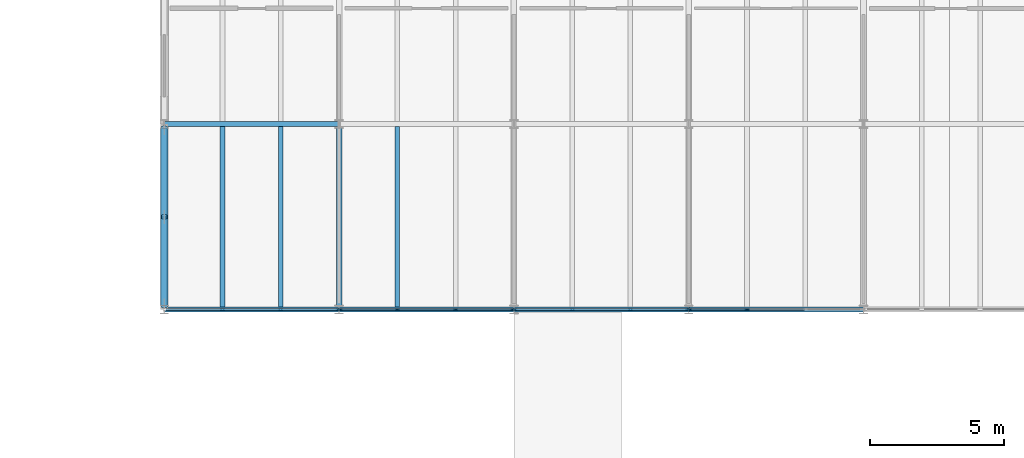
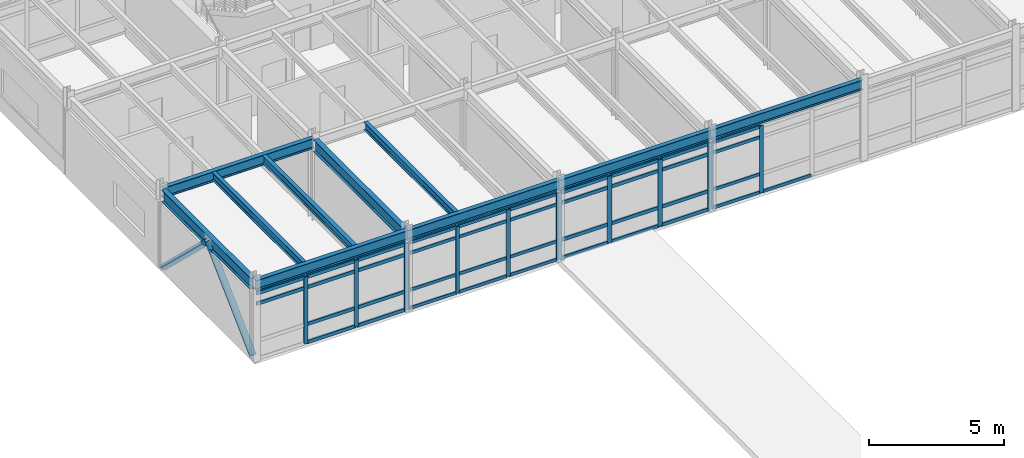
# One storey, part 18 of 49: 54 members, 10 beams, 4 elements without a shape of their own.
"""IFC4 building model written with IfcOpenShell, lengths in metres."""

from ifc_helpers import new_model, si_unit, direction, frame, origin, origin_2d, place, context, subcontext, project, spatial, rectangle, hollow_circle, i_section, extrude, material, layer, layer_set, material_profile, profile_set, type_object, element, aggregate, save


model = new_model("IFC4")

# Units and contexts
model_context = context("Model", 3, precision=1e-05, world=origin(), true_north=direction((0.0, 1.0)))
body_context = subcontext(model_context, "Body", "Model", "MODEL_VIEW")
ifc_project = project(units=[si_unit("LENGTHUNIT", "METRE"), si_unit("AREAUNIT", "SQUARE_METRE"), si_unit("VOLUMEUNIT", "CUBIC_METRE"), si_unit("PLANEANGLEUNIT", "RADIAN"), si_unit("MASSUNIT", "GRAM", prefix="KILO")], contexts=[model_context])

# Site, building, storey
site_placement = place(None, origin())
site = spatial("IfcSite", under=ifc_project, at=site_placement, CompositionType="ELEMENT")
building_placement = place(site_placement, origin())
building = spatial("IfcBuilding", under=site, at=building_placement, Name="Trelmorton Wharf Fire Station", CompositionType="ELEMENT")
storey_placement = place(building_placement, frame((0.0, 0.0, 9.60009765625)))
storey = spatial("IfcBuildingStorey", under=building, at=storey_placement, Name="L02", CompositionType="ELEMENT", Elevation=9.60009765625)

# Beams
ifc_material_1 = material(Name="Steel Grade 350", Category="steel")
ifc_material_profile_1 = material_profile(ifc_material_1, i_section(OverallWidth=0.19091796875, OverallDepth=0.4599609375, WebThickness=0.010009765625, FlangeThickness=0.01611328125, FilletRadius=0.011474609375, at=origin_2d()), Name="460UB82.1")
ifc_profile_set_1 = profile_set([ifc_material_profile_1], Name="Steel Grade 350")
beam_type_1 = type_object("IfcBeamType", Name="BM_460UB82", PredefinedType="BEAM", material=ifc_profile_set_1)
beam_placement = place(storey_placement, frame((104.00390625, 67.199951171875, 3.39990234375), z_axis=(1.0, 0.0, 0.0), x_axis=(0.0, 1.0, 0.0)))
element("IfcBeam", 1, at=beam_placement, inside=storey, type_object=beam_type_1, Name="BM-L02-0749", PredefinedType="BEAM", context=body_context, shape_type="SweptSolid", body=[
    extrude(i_section(OverallWidth=0.19091796875, OverallDepth=0.4599609375, WebThickness=0.010009765625, FlangeThickness=0.01611328125, FilletRadius=0.011474609375, at=origin_2d()), origin(), (0.0, 0.0, 1.0), 6.4921875),
])
ifc_material_profile_2 = material_profile(ifc_material_1, i_section(OverallWidth=0.208984375, OverallDepth=0.532958984375, WebThickness=0.01025390625, FlangeThickness=0.015625, FilletRadius=0.013916015625, at=origin_2d()), Name="530UB92.4")
ifc_profile_set_2 = profile_set([ifc_material_profile_2], Name="Steel Grade 350")
beam_type_2 = type_object("IfcBeamType", Name="BM_530UB92", PredefinedType="BEAM", material=ifc_profile_set_2)
for number, where, z_axis, x_axis, name in (
    (2, (104.0, 60.45361328125, 3.36328125), (0.0, 1.0, 0.0), (-1.0, 0.0, 0.0), "BM-L02-0816"),
    (3, (110.5, 60.45361328125, 3.36328125), (0.0, 1.0, 0.0), (-1.0, 0.0, 0.0), "BM-L02-0822"),
):
    element("IfcBeam", number, at=place(storey_placement, frame(where, z_axis=z_axis, x_axis=x_axis)), inside=storey, type_object=beam_type_2, Name=name, PredefinedType="BEAM", context=body_context, shape_type="SweptSolid", body=[
        extrude(i_section(OverallWidth=0.208984375, OverallDepth=0.532958984375, WebThickness=0.01025390625, FlangeThickness=0.015625, FilletRadius=0.013916015625, at=origin_2d()), origin(), (0.0, 0.0, 1.0), 6.5927734375),
    ])

# Members
ifc_material_2 = material(Name="Steel C350L0 (350 MPa)", Category="steel")
ifc_material_profile_3 = material_profile(ifc_material_2, hollow_circle(Radius=0.136474609375, WallThickness=0.00927734375, at=origin_2d()), Name="273.1x9.3CHS")
ifc_profile_set_3 = profile_set([ifc_material_profile_3], Name="Steel C350L0 (350 MPa)")
member_type_1 = type_object("IfcMemberType", Name="BR_273CHS", PredefinedType="BRACE", material=ifc_profile_set_3)
for number, where, z_axis, x_axis, name in (
    (4, (104.0, 60.45458984375, 0.119873046875), (0.0, 0.721790056105, 0.692112068171), (-1.0, 0.0, 0.0), "CBF-V4-W-L02-A"),
    (5, (104.0, 67.04541015625, 0.119873046875), (0.0, -0.721790056105, 0.692112068171), (1.0, 0.0, 0.0), "CBF-V4-W-L02-B"),
):
    element("IfcMember", number, at=place(storey_placement, frame(where, z_axis=z_axis, x_axis=x_axis)), inside=storey, type_object=member_type_1, Name=name, PredefinedType="BRACE", context=body_context, shape_type="SweptSolid", body=[
        extrude(hollow_circle(Radius=0.136474609375, WallThickness=0.00927734375, at=origin_2d()), origin(), (0.0, 0.0, 1.0), 4.565673828125),
    ])

# Curtain wall, members
ifc_material_3 = material(Name="Anodised aluminium AW-6063", Category="aluminium")
ifc_layer = layer(ifc_material_3, 0.175048828125)
ifc_layer_set = layer_set([ifc_layer], Name="Anodised aluminium AW-6063")
curtain_wall_type = type_object("IfcCurtainWallType", Name="CW_CHIC_B", PredefinedType="USERDEFINED", material=ifc_layer_set)
curtain_wall_1_placement = place(storey_placement, origin())
curtain_wall_1 = element("IfcCurtainWall", 6, at=curtain_wall_1_placement, inside=storey, type_object=curtain_wall_type, Name="CW-V4-L02-131", ObjectType="CHICAGO BAY CURTAIN WALL", PredefinedType="USERDEFINED")
ifc_material_profile_4 = material_profile(ifc_material_3, rectangle(XDim=0.06494140625, YDim=0.159912109375, at=origin_2d()), Name="ALU-65x160")
ifc_profile_set_4 = profile_set([ifc_material_profile_4], Name="Anodised aluminium AW-6063")
member_type_2 = type_object("IfcMemberType", Name="CWM_65x160", PredefinedType="MULLION", material=ifc_profile_set_4)
member_1_placement = place(storey_placement, frame((116.965087890625, 60.300048828125, 0.0), z_axis=(0.0, 0.0, 1.0), x_axis=(0.0, -1.0, 0.0)))
member_1 = element("IfcMember", 7, at=member_1_placement, type_object=member_type_2, Name="CW2 mullion 1", PredefinedType="MULLION", context=body_context, shape_type="SweptSolid", body=[
    extrude(rectangle(XDim=0.06494140625, YDim=0.159912109375, at=origin_2d()), origin(), (0.0, 0.0, 1.0), 3.02001953125),
])
member_2_placement = place(storey_placement, frame((114.831787109375, 60.300048828125, 0.0), z_axis=(0.0, 0.0, 1.0), x_axis=(0.0, -1.0, 0.0)))
member_2 = element("IfcMember", 8, at=member_2_placement, type_object=member_type_2, Name="CW2 mullion 2", PredefinedType="MULLION", context=body_context, shape_type="SweptSolid", body=[
    extrude(rectangle(XDim=0.06494140625, YDim=0.159912109375, at=origin_2d()), origin(), (0.0, 0.0, 1.0), 3.02001953125),
])
member_3_placement = place(storey_placement, frame((112.668212890625, 60.300048828125, 0.0), z_axis=(0.0, 0.0, 1.0), x_axis=(0.0, -1.0, 0.0)))
member_3 = element("IfcMember", 9, at=member_3_placement, type_object=member_type_2, Name="CW2 mullion 3", PredefinedType="MULLION", context=body_context, shape_type="SweptSolid", body=[
    extrude(rectangle(XDim=0.06494140625, YDim=0.159912109375, at=origin_2d()), origin(), (0.0, 0.0, 1.0), 3.02001953125),
])
member_4_placement = place(storey_placement, frame((110.534912109375, 60.300048828125, 0.0), z_axis=(0.0, 0.0, 1.0), x_axis=(0.0, -1.0, 0.0)))
member_4 = element("IfcMember", 10, at=member_4_placement, type_object=member_type_2, Name="CW2 mullion 4", PredefinedType="MULLION", context=body_context, shape_type="SweptSolid", body=[
    extrude(rectangle(XDim=0.06494140625, YDim=0.159912109375, at=origin_2d()), origin(), (0.0, 0.0, 1.0), 3.02001953125),
])

curtain_wall_2_placement = place(storey_placement, origin())
curtain_wall_2 = element("IfcCurtainWall", 11, at=curtain_wall_2_placement, inside=storey, type_object=curtain_wall_type, Name="CW-V4-L02-133", ObjectType="CHICAGO BAY CURTAIN WALL", PredefinedType="USERDEFINED")
member_5_placement = place(storey_placement, frame((125.668212890625, 60.300048828125, 0.0), z_axis=(0.0, 0.0, 1.0), x_axis=(0.0, -1.0, 0.0)))
member_5 = element("IfcMember", 12, at=member_5_placement, type_object=member_type_2, Name="CW2 mullion 3", PredefinedType="MULLION", context=body_context, shape_type="SweptSolid", body=[
    extrude(rectangle(XDim=0.06494140625, YDim=0.159912109375, at=origin_2d()), origin(), (0.0, 0.0, 1.0), 3.02001953125),
])
member_6_placement = place(storey_placement, frame((123.534912109375, 60.300048828125, 0.0), z_axis=(0.0, 0.0, 1.0), x_axis=(0.0, -1.0, 0.0)))
member_6 = element("IfcMember", 13, at=member_6_placement, type_object=member_type_2, Name="CW2 mullion 4", PredefinedType="MULLION", context=body_context, shape_type="SweptSolid", body=[
    extrude(rectangle(XDim=0.06494140625, YDim=0.159912109375, at=origin_2d()), origin(), (0.0, 0.0, 1.0), 3.02001953125),
])

curtain_wall_3_placement = place(storey_placement, origin())
curtain_wall_3 = element("IfcCurtainWall", 14, at=curtain_wall_3_placement, inside=storey, type_object=curtain_wall_type, Name="CW-V4-L02-130", ObjectType="CHICAGO BAY CURTAIN WALL", PredefinedType="USERDEFINED")
ifc_material_profile_5 = material_profile(ifc_material_3, rectangle(XDim=0.074951171875, YDim=0.175048828125, at=origin_2d()), Name="ALU-75x175")
ifc_profile_set_5 = profile_set([ifc_material_profile_5], Name="Anodised aluminium AW-6063")
member_type_3 = type_object("IfcMemberType", Name="CWM_75x175", PredefinedType="MULLION", material=ifc_profile_set_5)
member_7_placement = place(storey_placement, frame((110.465087890625, 60.300048828125, 0.0), z_axis=(0.0, 0.0, 1.0), x_axis=(0.0, -1.0, 0.0)))
member_7 = element("IfcMember", 15, at=member_7_placement, type_object=member_type_3, Name="CW2 mullion 1", PredefinedType="MULLION", context=body_context, shape_type="SweptSolid", body=[
    extrude(rectangle(XDim=0.074951171875, YDim=0.175048828125, at=origin_2d()), origin(), (0.0, 0.0, 1.0), 3.02001953125),
])
member_8_placement = place(storey_placement, frame((108.331787109375, 60.300048828125, 0.0), z_axis=(0.0, 0.0, 1.0), x_axis=(0.0, -1.0, 0.0)))
member_8 = element("IfcMember", 16, at=member_8_placement, type_object=member_type_3, Name="CW2 mullion 2", PredefinedType="MULLION", context=body_context, shape_type="SweptSolid", body=[
    extrude(rectangle(XDim=0.074951171875, YDim=0.175048828125, at=origin_2d()), origin(), (0.0, 0.0, 1.0), 3.02001953125),
])
member_9_placement = place(storey_placement, frame((106.168212890625, 60.300048828125, 0.0), z_axis=(0.0, 0.0, 1.0), x_axis=(0.0, -1.0, 0.0)))
member_9 = element("IfcMember", 17, at=member_9_placement, type_object=member_type_3, Name="CW2 mullion 3", PredefinedType="MULLION", context=body_context, shape_type="SweptSolid", body=[
    extrude(rectangle(XDim=0.074951171875, YDim=0.175048828125, at=origin_2d()), origin(), (0.0, 0.0, 1.0), 3.02001953125),
])

curtain_wall_4_placement = place(storey_placement, origin())
curtain_wall_4 = element("IfcCurtainWall", 18, at=curtain_wall_4_placement, inside=storey, type_object=curtain_wall_type, Name="CW-V4-L02-132", ObjectType="CHICAGO BAY CURTAIN WALL", PredefinedType="USERDEFINED")
member_10_placement = place(storey_placement, frame((123.465087890625, 60.300048828125, 0.0), z_axis=(0.0, 0.0, 1.0), x_axis=(0.0, -1.0, 0.0)))
member_10 = element("IfcMember", 19, at=member_10_placement, type_object=member_type_3, Name="CW2 mullion 1", PredefinedType="MULLION", context=body_context, shape_type="SweptSolid", body=[
    extrude(rectangle(XDim=0.074951171875, YDim=0.175048828125, at=origin_2d()), origin(), (0.0, 0.0, 1.0), 3.02001953125),
])
member_11_placement = place(storey_placement, frame((121.331787109375, 60.300048828125, 0.0), z_axis=(0.0, 0.0, 1.0), x_axis=(0.0, -1.0, 0.0)))
member_11 = element("IfcMember", 20, at=member_11_placement, type_object=member_type_3, Name="CW2 mullion 2", PredefinedType="MULLION", context=body_context, shape_type="SweptSolid", body=[
    extrude(rectangle(XDim=0.074951171875, YDim=0.175048828125, at=origin_2d()), origin(), (0.0, 0.0, 1.0), 3.02001953125),
])
member_12_placement = place(storey_placement, frame((119.168212890625, 60.300048828125, 0.0), z_axis=(0.0, 0.0, 1.0), x_axis=(0.0, -1.0, 0.0)))
member_12 = element("IfcMember", 21, at=member_12_placement, type_object=member_type_3, Name="CW2 mullion 3", PredefinedType="MULLION", context=body_context, shape_type="SweptSolid", body=[
    extrude(rectangle(XDim=0.074951171875, YDim=0.175048828125, at=origin_2d()), origin(), (0.0, 0.0, 1.0), 3.02001953125),
])
member_13_placement = place(storey_placement, frame((117.034912109375, 60.300048828125, 0.0), z_axis=(0.0, 0.0, 1.0), x_axis=(0.0, -1.0, 0.0)))
member_13 = element("IfcMember", 22, at=member_13_placement, type_object=member_type_3, Name="CW2 mullion 4", PredefinedType="MULLION", context=body_context, shape_type="SweptSolid", body=[
    extrude(rectangle(XDim=0.074951171875, YDim=0.175048828125, at=origin_2d()), origin(), (0.0, 0.0, 1.0), 3.02001953125),
])

# Member
ifc_material_profile_6 = material_profile(ifc_material_3, rectangle(XDim=0.06494140625, YDim=0.139892578125, at=origin_2d()), Name="ALU-65x140")
ifc_profile_set_6 = profile_set([ifc_material_profile_6], Name="Anodised aluminium AW-6063")
member_type_4 = type_object("IfcMemberType", Name="CWT_65x140", PredefinedType="USERDEFINED", material=ifc_profile_set_6)
member_14_placement = place(storey_placement, frame((116.93505859375, 60.300048828125, 0.02978515625), z_axis=(-1.0, 0.0, 0.0), x_axis=(0.0, -1.0, 0.0)))
member_14 = element("IfcMember", 23, at=member_14_placement, type_object=member_type_4, Name="CW2 transom 1.1", ObjectType="TRANSOM", PredefinedType="USERDEFINED", context=body_context, shape_type="SweptSolid", body=[
    extrude(rectangle(XDim=0.06494140625, YDim=0.139892578125, at=origin_2d()), origin(), (0.0, 0.0, 1.0), 2.073486328125),
])

member_15_placement = place(storey_placement, frame((116.93505859375, 60.300048828125, 0.849853515625), z_axis=(-1.0, 0.0, 0.0), x_axis=(0.0, -1.0, 0.0)))
member_15 = element("IfcMember", 24, at=member_15_placement, type_object=member_type_4, Name="CW2 transom 1.2", ObjectType="TRANSOM", PredefinedType="USERDEFINED", context=body_context, shape_type="SweptSolid", body=[
    extrude(rectangle(XDim=0.06494140625, YDim=0.139892578125, at=origin_2d()), origin(), (0.0, 0.0, 1.0), 2.073486328125),
])

member_16_placement = place(storey_placement, frame((116.93505859375, 60.300048828125, 2.52001953125), z_axis=(-1.0, 0.0, 0.0), x_axis=(0.0, -1.0, 0.0)))
member_16 = element("IfcMember", 25, at=member_16_placement, type_object=member_type_4, Name="CW2 transom 1.3", ObjectType="TRANSOM", PredefinedType="USERDEFINED", context=body_context, shape_type="SweptSolid", body=[
    extrude(rectangle(XDim=0.06494140625, YDim=0.139892578125, at=origin_2d()), origin(), (0.0, 0.0, 1.0), 2.073486328125),
])

member_17_placement = place(storey_placement, frame((116.93505859375, 60.300048828125, 2.989990234375), z_axis=(-1.0, 0.0, 0.0), x_axis=(0.0, -1.0, 0.0)))
member_17 = element("IfcMember", 26, at=member_17_placement, type_object=member_type_4, Name="CW2 transom 1.4", ObjectType="TRANSOM", PredefinedType="USERDEFINED", context=body_context, shape_type="SweptSolid", body=[
    extrude(rectangle(XDim=0.06494140625, YDim=0.139892578125, at=origin_2d()), origin(), (0.0, 0.0, 1.0), 2.073486328125),
])

member_18_placement = place(storey_placement, frame((114.8017578125, 60.300048828125, 0.02978515625), z_axis=(-1.0, 0.0, 0.0), x_axis=(0.0, -1.0, 0.0)))
member_18 = element("IfcMember", 27, at=member_18_placement, type_object=member_type_4, Name="CW2 transom 2.1", ObjectType="TRANSOM", PredefinedType="USERDEFINED", context=body_context, shape_type="SweptSolid", body=[
    extrude(rectangle(XDim=0.06494140625, YDim=0.139892578125, at=origin_2d()), origin(), (0.0, 0.0, 1.0), 2.103515625),
])

member_19_placement = place(storey_placement, frame((114.8017578125, 60.300048828125, 0.849853515625), z_axis=(-1.0, 0.0, 0.0), x_axis=(0.0, -1.0, 0.0)))
member_19 = element("IfcMember", 28, at=member_19_placement, type_object=member_type_4, Name="CW2 transom 2.2", ObjectType="TRANSOM", PredefinedType="USERDEFINED", context=body_context, shape_type="SweptSolid", body=[
    extrude(rectangle(XDim=0.06494140625, YDim=0.139892578125, at=origin_2d()), origin(), (0.0, 0.0, 1.0), 2.103515625),
])

member_20_placement = place(storey_placement, frame((114.8017578125, 60.300048828125, 2.52001953125), z_axis=(-1.0, 0.0, 0.0), x_axis=(0.0, -1.0, 0.0)))
member_20 = element("IfcMember", 29, at=member_20_placement, type_object=member_type_4, Name="CW2 transom 2.3", ObjectType="TRANSOM", PredefinedType="USERDEFINED", context=body_context, shape_type="SweptSolid", body=[
    extrude(rectangle(XDim=0.06494140625, YDim=0.139892578125, at=origin_2d()), origin(), (0.0, 0.0, 1.0), 2.103515625),
])

member_21_placement = place(storey_placement, frame((114.8017578125, 60.300048828125, 2.989990234375), z_axis=(-1.0, 0.0, 0.0), x_axis=(0.0, -1.0, 0.0)))
member_21 = element("IfcMember", 30, at=member_21_placement, type_object=member_type_4, Name="CW2 transom 2.4", ObjectType="TRANSOM", PredefinedType="USERDEFINED", context=body_context, shape_type="SweptSolid", body=[
    extrude(rectangle(XDim=0.06494140625, YDim=0.139892578125, at=origin_2d()), origin(), (0.0, 0.0, 1.0), 2.103515625),
])

member_22_placement = place(storey_placement, frame((112.638427734375, 60.300048828125, 0.02978515625), z_axis=(-1.0, 0.0, 0.0), x_axis=(0.0, -1.0, 0.0)))
member_22 = element("IfcMember", 31, at=member_22_placement, type_object=member_type_4, Name="CW2 transom 3.1", ObjectType="TRANSOM", PredefinedType="USERDEFINED", context=body_context, shape_type="SweptSolid", body=[
    extrude(rectangle(XDim=0.06494140625, YDim=0.139892578125, at=origin_2d()), origin(), (0.0, 0.0, 1.0), 2.073486328125),
])

member_23_placement = place(storey_placement, frame((112.638427734375, 60.300048828125, 0.849853515625), z_axis=(-1.0, 0.0, 0.0), x_axis=(0.0, -1.0, 0.0)))
member_23 = element("IfcMember", 32, at=member_23_placement, type_object=member_type_4, Name="CW2 transom 3.2", ObjectType="TRANSOM", PredefinedType="USERDEFINED", context=body_context, shape_type="SweptSolid", body=[
    extrude(rectangle(XDim=0.06494140625, YDim=0.139892578125, at=origin_2d()), origin(), (0.0, 0.0, 1.0), 2.073486328125),
])

member_24_placement = place(storey_placement, frame((112.638427734375, 60.300048828125, 2.52001953125), z_axis=(-1.0, 0.0, 0.0), x_axis=(0.0, -1.0, 0.0)))
member_24 = element("IfcMember", 33, at=member_24_placement, type_object=member_type_4, Name="CW2 transom 3.3", ObjectType="TRANSOM", PredefinedType="USERDEFINED", context=body_context, shape_type="SweptSolid", body=[
    extrude(rectangle(XDim=0.06494140625, YDim=0.139892578125, at=origin_2d()), origin(), (0.0, 0.0, 1.0), 2.073486328125),
])

member_25_placement = place(storey_placement, frame((112.638427734375, 60.300048828125, 2.989990234375), z_axis=(-1.0, 0.0, 0.0), x_axis=(0.0, -1.0, 0.0)))
member_25 = element("IfcMember", 34, at=member_25_placement, type_object=member_type_4, Name="CW2 transom 3.4", ObjectType="TRANSOM", PredefinedType="USERDEFINED", context=body_context, shape_type="SweptSolid", body=[
    extrude(rectangle(XDim=0.06494140625, YDim=0.139892578125, at=origin_2d()), origin(), (0.0, 0.0, 1.0), 2.073486328125),
])

aggregate(curtain_wall_1, [member_1, member_2, member_3, member_4, member_14, member_15, member_16, member_17, member_18, member_19, member_20, member_21, member_22, member_23, member_24, member_25])

member_26_placement = place(storey_placement, frame((127.8017578125, 60.300048828125, 0.02978515625), z_axis=(-1.0, 0.0, 0.0), x_axis=(0.0, -1.0, 0.0)))
member_26 = element("IfcMember", 35, at=member_26_placement, type_object=member_type_4, Name="CW2 transom 2.1", ObjectType="TRANSOM", PredefinedType="USERDEFINED", context=body_context, shape_type="SweptSolid", body=[
    extrude(rectangle(XDim=0.06494140625, YDim=0.139892578125, at=origin_2d()), origin(), (0.0, 0.0, 1.0), 2.103515625),
])

member_27_placement = place(storey_placement, frame((125.638427734375, 60.300048828125, 0.02978515625), z_axis=(-1.0, 0.0, 0.0), x_axis=(0.0, -1.0, 0.0)))
member_27 = element("IfcMember", 36, at=member_27_placement, type_object=member_type_4, Name="CW2 transom 3.1", ObjectType="TRANSOM", PredefinedType="USERDEFINED", context=body_context, shape_type="SweptSolid", body=[
    extrude(rectangle(XDim=0.06494140625, YDim=0.139892578125, at=origin_2d()), origin(), (0.0, 0.0, 1.0), 2.073486328125),
])

member_28_placement = place(storey_placement, frame((125.638427734375, 60.300048828125, 0.849853515625), z_axis=(-1.0, 0.0, 0.0), x_axis=(0.0, -1.0, 0.0)))
member_28 = element("IfcMember", 37, at=member_28_placement, type_object=member_type_4, Name="CW2 transom 3.2", ObjectType="TRANSOM", PredefinedType="USERDEFINED", context=body_context, shape_type="SweptSolid", body=[
    extrude(rectangle(XDim=0.06494140625, YDim=0.139892578125, at=origin_2d()), origin(), (0.0, 0.0, 1.0), 2.073486328125),
])

member_29_placement = place(storey_placement, frame((125.638427734375, 60.300048828125, 2.52001953125), z_axis=(-1.0, 0.0, 0.0), x_axis=(0.0, -1.0, 0.0)))
member_29 = element("IfcMember", 38, at=member_29_placement, type_object=member_type_4, Name="CW2 transom 3.3", ObjectType="TRANSOM", PredefinedType="USERDEFINED", context=body_context, shape_type="SweptSolid", body=[
    extrude(rectangle(XDim=0.06494140625, YDim=0.139892578125, at=origin_2d()), origin(), (0.0, 0.0, 1.0), 2.073486328125),
])

member_30_placement = place(storey_placement, frame((125.638427734375, 60.300048828125, 2.989990234375), z_axis=(-1.0, 0.0, 0.0), x_axis=(0.0, -1.0, 0.0)))
member_30 = element("IfcMember", 39, at=member_30_placement, type_object=member_type_4, Name="CW2 transom 3.4", ObjectType="TRANSOM", PredefinedType="USERDEFINED", context=body_context, shape_type="SweptSolid", body=[
    extrude(rectangle(XDim=0.06494140625, YDim=0.139892578125, at=origin_2d()), origin(), (0.0, 0.0, 1.0), 2.073486328125),
])

aggregate(curtain_wall_2, [member_5, member_6, member_26, member_27, member_28, member_29, member_30])

ifc_material_profile_7 = material_profile(ifc_material_3, rectangle(XDim=0.074951171875, YDim=0.155029296875, at=origin_2d()), Name="ALU-75x155")
ifc_profile_set_7 = profile_set([ifc_material_profile_7], Name="Anodised aluminium AW-6063")
member_type_5 = type_object("IfcMemberType", Name="CWT_75x155", PredefinedType="USERDEFINED", material=ifc_profile_set_7)
member_31_placement = place(storey_placement, frame((110.43505859375, 60.300048828125, 0.02978515625), z_axis=(-1.0, 0.0, 0.0), x_axis=(0.0, -1.0, 0.0)))
member_31 = element("IfcMember", 40, at=member_31_placement, type_object=member_type_5, Name="CW2 transom 1.1", ObjectType="TRANSOM", PredefinedType="USERDEFINED", context=body_context, shape_type="SweptSolid", body=[
    extrude(rectangle(XDim=0.074951171875, YDim=0.155029296875, at=origin_2d()), origin(), (0.0, 0.0, 1.0), 2.073486328125),
])

member_32_placement = place(storey_placement, frame((110.43505859375, 60.300048828125, 0.849853515625), z_axis=(-1.0, 0.0, 0.0), x_axis=(0.0, -1.0, 0.0)))
member_32 = element("IfcMember", 41, at=member_32_placement, type_object=member_type_5, Name="CW2 transom 1.2", ObjectType="TRANSOM", PredefinedType="USERDEFINED", context=body_context, shape_type="SweptSolid", body=[
    extrude(rectangle(XDim=0.074951171875, YDim=0.155029296875, at=origin_2d()), origin(), (0.0, 0.0, 1.0), 2.073486328125),
])

member_33_placement = place(storey_placement, frame((110.43505859375, 60.300048828125, 2.52001953125), z_axis=(-1.0, 0.0, 0.0), x_axis=(0.0, -1.0, 0.0)))
member_33 = element("IfcMember", 42, at=member_33_placement, type_object=member_type_5, Name="CW2 transom 1.3", ObjectType="TRANSOM", PredefinedType="USERDEFINED", context=body_context, shape_type="SweptSolid", body=[
    extrude(rectangle(XDim=0.074951171875, YDim=0.155029296875, at=origin_2d()), origin(), (0.0, 0.0, 1.0), 2.073486328125),
])

member_34_placement = place(storey_placement, frame((110.43505859375, 60.300048828125, 2.989990234375), z_axis=(-1.0, 0.0, 0.0), x_axis=(0.0, -1.0, 0.0)))
member_34 = element("IfcMember", 43, at=member_34_placement, type_object=member_type_5, Name="CW2 transom 1.4", ObjectType="TRANSOM", PredefinedType="USERDEFINED", context=body_context, shape_type="SweptSolid", body=[
    extrude(rectangle(XDim=0.074951171875, YDim=0.155029296875, at=origin_2d()), origin(), (0.0, 0.0, 1.0), 2.073486328125),
])

member_35_placement = place(storey_placement, frame((108.3017578125, 60.300048828125, 0.02978515625), z_axis=(-1.0, 0.0, 0.0), x_axis=(0.0, -1.0, 0.0)))
member_35 = element("IfcMember", 44, at=member_35_placement, type_object=member_type_5, Name="CW2 transom 2.1", ObjectType="TRANSOM", PredefinedType="USERDEFINED", context=body_context, shape_type="SweptSolid", body=[
    extrude(rectangle(XDim=0.074951171875, YDim=0.155029296875, at=origin_2d()), origin(), (0.0, 0.0, 1.0), 2.103515625),
])

member_36_placement = place(storey_placement, frame((108.3017578125, 60.300048828125, 0.849853515625), z_axis=(-1.0, 0.0, 0.0), x_axis=(0.0, -1.0, 0.0)))
member_36 = element("IfcMember", 45, at=member_36_placement, type_object=member_type_5, Name="CW2 transom 2.2", ObjectType="TRANSOM", PredefinedType="USERDEFINED", context=body_context, shape_type="SweptSolid", body=[
    extrude(rectangle(XDim=0.074951171875, YDim=0.155029296875, at=origin_2d()), origin(), (0.0, 0.0, 1.0), 2.103515625),
])

member_37_placement = place(storey_placement, frame((108.3017578125, 60.300048828125, 2.52001953125), z_axis=(-1.0, 0.0, 0.0), x_axis=(0.0, -1.0, 0.0)))
member_37 = element("IfcMember", 46, at=member_37_placement, type_object=member_type_5, Name="CW2 transom 2.3", ObjectType="TRANSOM", PredefinedType="USERDEFINED", context=body_context, shape_type="SweptSolid", body=[
    extrude(rectangle(XDim=0.074951171875, YDim=0.155029296875, at=origin_2d()), origin(), (0.0, 0.0, 1.0), 2.103515625),
])

member_38_placement = place(storey_placement, frame((108.3017578125, 60.300048828125, 2.989990234375), z_axis=(-1.0, 0.0, 0.0), x_axis=(0.0, -1.0, 0.0)))
member_38 = element("IfcMember", 47, at=member_38_placement, type_object=member_type_5, Name="CW2 transom 2.4", ObjectType="TRANSOM", PredefinedType="USERDEFINED", context=body_context, shape_type="SweptSolid", body=[
    extrude(rectangle(XDim=0.074951171875, YDim=0.155029296875, at=origin_2d()), origin(), (0.0, 0.0, 1.0), 2.103515625),
])

member_39_placement = place(storey_placement, frame((106.138427734375, 60.300048828125, 2.52001953125), z_axis=(-1.0, 0.0, 0.0), x_axis=(0.0, -1.0, 0.0)))
member_39 = element("IfcMember", 48, at=member_39_placement, type_object=member_type_5, Name="CW2 transom 3.3", ObjectType="TRANSOM", PredefinedType="USERDEFINED", context=body_context, shape_type="SweptSolid", body=[
    extrude(rectangle(XDim=0.074951171875, YDim=0.155029296875, at=origin_2d()), origin(), (0.0, 0.0, 1.0), 2.073486328125),
])

member_40_placement = place(storey_placement, frame((106.138427734375, 60.300048828125, 2.989990234375), z_axis=(-1.0, 0.0, 0.0), x_axis=(0.0, -1.0, 0.0)))
member_40 = element("IfcMember", 49, at=member_40_placement, type_object=member_type_5, Name="CW2 transom 3.4", ObjectType="TRANSOM", PredefinedType="USERDEFINED", context=body_context, shape_type="SweptSolid", body=[
    extrude(rectangle(XDim=0.074951171875, YDim=0.155029296875, at=origin_2d()), origin(), (0.0, 0.0, 1.0), 2.073486328125),
])

aggregate(curtain_wall_3, [member_7, member_8, member_9, member_31, member_32, member_33, member_34, member_35, member_36, member_37, member_38, member_39, member_40])

member_41_placement = place(storey_placement, frame((123.43505859375, 60.300048828125, 0.02978515625), z_axis=(-1.0, 0.0, 0.0), x_axis=(0.0, -1.0, 0.0)))
member_41 = element("IfcMember", 50, at=member_41_placement, type_object=member_type_5, Name="CW2 transom 1.1", ObjectType="TRANSOM", PredefinedType="USERDEFINED", context=body_context, shape_type="SweptSolid", body=[
    extrude(rectangle(XDim=0.074951171875, YDim=0.155029296875, at=origin_2d()), origin(), (0.0, 0.0, 1.0), 2.073486328125),
])

member_42_placement = place(storey_placement, frame((123.43505859375, 60.300048828125, 0.849853515625), z_axis=(-1.0, 0.0, 0.0), x_axis=(0.0, -1.0, 0.0)))
member_42 = element("IfcMember", 51, at=member_42_placement, type_object=member_type_5, Name="CW2 transom 1.2", ObjectType="TRANSOM", PredefinedType="USERDEFINED", context=body_context, shape_type="SweptSolid", body=[
    extrude(rectangle(XDim=0.074951171875, YDim=0.155029296875, at=origin_2d()), origin(), (0.0, 0.0, 1.0), 2.073486328125),
])

member_43_placement = place(storey_placement, frame((123.43505859375, 60.300048828125, 2.52001953125), z_axis=(-1.0, 0.0, 0.0), x_axis=(0.0, -1.0, 0.0)))
member_43 = element("IfcMember", 52, at=member_43_placement, type_object=member_type_5, Name="CW2 transom 1.3", ObjectType="TRANSOM", PredefinedType="USERDEFINED", context=body_context, shape_type="SweptSolid", body=[
    extrude(rectangle(XDim=0.074951171875, YDim=0.155029296875, at=origin_2d()), origin(), (0.0, 0.0, 1.0), 2.073486328125),
])

member_44_placement = place(storey_placement, frame((123.43505859375, 60.300048828125, 2.989990234375), z_axis=(-1.0, 0.0, 0.0), x_axis=(0.0, -1.0, 0.0)))
member_44 = element("IfcMember", 53, at=member_44_placement, type_object=member_type_5, Name="CW2 transom 1.4", ObjectType="TRANSOM", PredefinedType="USERDEFINED", context=body_context, shape_type="SweptSolid", body=[
    extrude(rectangle(XDim=0.074951171875, YDim=0.155029296875, at=origin_2d()), origin(), (0.0, 0.0, 1.0), 2.073486328125),
])

member_45_placement = place(storey_placement, frame((121.3017578125, 60.300048828125, 0.02978515625), z_axis=(-1.0, 0.0, 0.0), x_axis=(0.0, -1.0, 0.0)))
member_45 = element("IfcMember", 54, at=member_45_placement, type_object=member_type_5, Name="CW2 transom 2.1", ObjectType="TRANSOM", PredefinedType="USERDEFINED", context=body_context, shape_type="SweptSolid", body=[
    extrude(rectangle(XDim=0.074951171875, YDim=0.155029296875, at=origin_2d()), origin(), (0.0, 0.0, 1.0), 2.103515625),
])

member_46_placement = place(storey_placement, frame((121.3017578125, 60.300048828125, 0.849853515625), z_axis=(-1.0, 0.0, 0.0), x_axis=(0.0, -1.0, 0.0)))
member_46 = element("IfcMember", 55, at=member_46_placement, type_object=member_type_5, Name="CW2 transom 2.2", ObjectType="TRANSOM", PredefinedType="USERDEFINED", context=body_context, shape_type="SweptSolid", body=[
    extrude(rectangle(XDim=0.074951171875, YDim=0.155029296875, at=origin_2d()), origin(), (0.0, 0.0, 1.0), 2.103515625),
])

member_47_placement = place(storey_placement, frame((121.3017578125, 60.300048828125, 2.52001953125), z_axis=(-1.0, 0.0, 0.0), x_axis=(0.0, -1.0, 0.0)))
member_47 = element("IfcMember", 56, at=member_47_placement, type_object=member_type_5, Name="CW2 transom 2.3", ObjectType="TRANSOM", PredefinedType="USERDEFINED", context=body_context, shape_type="SweptSolid", body=[
    extrude(rectangle(XDim=0.074951171875, YDim=0.155029296875, at=origin_2d()), origin(), (0.0, 0.0, 1.0), 2.103515625),
])

member_48_placement = place(storey_placement, frame((121.3017578125, 60.300048828125, 2.989990234375), z_axis=(-1.0, 0.0, 0.0), x_axis=(0.0, -1.0, 0.0)))
member_48 = element("IfcMember", 57, at=member_48_placement, type_object=member_type_5, Name="CW2 transom 2.4", ObjectType="TRANSOM", PredefinedType="USERDEFINED", context=body_context, shape_type="SweptSolid", body=[
    extrude(rectangle(XDim=0.074951171875, YDim=0.155029296875, at=origin_2d()), origin(), (0.0, 0.0, 1.0), 2.103515625),
])

member_49_placement = place(storey_placement, frame((119.138427734375, 60.300048828125, 0.02978515625), z_axis=(-1.0, 0.0, 0.0), x_axis=(0.0, -1.0, 0.0)))
member_49 = element("IfcMember", 58, at=member_49_placement, type_object=member_type_5, Name="CW2 transom 3.1", ObjectType="TRANSOM", PredefinedType="USERDEFINED", context=body_context, shape_type="SweptSolid", body=[
    extrude(rectangle(XDim=0.074951171875, YDim=0.155029296875, at=origin_2d()), origin(), (0.0, 0.0, 1.0), 2.073486328125),
])

member_50_placement = place(storey_placement, frame((119.138427734375, 60.300048828125, 0.849853515625), z_axis=(-1.0, 0.0, 0.0), x_axis=(0.0, -1.0, 0.0)))
member_50 = element("IfcMember", 59, at=member_50_placement, type_object=member_type_5, Name="CW2 transom 3.2", ObjectType="TRANSOM", PredefinedType="USERDEFINED", context=body_context, shape_type="SweptSolid", body=[
    extrude(rectangle(XDim=0.074951171875, YDim=0.155029296875, at=origin_2d()), origin(), (0.0, 0.0, 1.0), 2.073486328125),
])

member_51_placement = place(storey_placement, frame((119.138427734375, 60.300048828125, 2.52001953125), z_axis=(-1.0, 0.0, 0.0), x_axis=(0.0, -1.0, 0.0)))
member_51 = element("IfcMember", 60, at=member_51_placement, type_object=member_type_5, Name="CW2 transom 3.3", ObjectType="TRANSOM", PredefinedType="USERDEFINED", context=body_context, shape_type="SweptSolid", body=[
    extrude(rectangle(XDim=0.074951171875, YDim=0.155029296875, at=origin_2d()), origin(), (0.0, 0.0, 1.0), 2.073486328125),
])

member_52_placement = place(storey_placement, frame((119.138427734375, 60.300048828125, 2.989990234375), z_axis=(-1.0, 0.0, 0.0), x_axis=(0.0, -1.0, 0.0)))
member_52 = element("IfcMember", 61, at=member_52_placement, type_object=member_type_5, Name="CW2 transom 3.4", ObjectType="TRANSOM", PredefinedType="USERDEFINED", context=body_context, shape_type="SweptSolid", body=[
    extrude(rectangle(XDim=0.074951171875, YDim=0.155029296875, at=origin_2d()), origin(), (0.0, 0.0, 1.0), 2.073486328125),
])

aggregate(curtain_wall_4, [member_10, member_11, member_12, member_13, member_41, member_42, member_43, member_44, member_45, member_46, member_47, member_48, member_49, member_50, member_51, member_52])

# Beams
ifc_material_profile_8 = material_profile(ifc_material_1, i_section(OverallWidth=0.172119140625, OverallDepth=0.35888671875, WebThickness=0.008056640625, FlangeThickness=0.012939453125, FilletRadius=0.011474609375, at=origin_2d()), Name="360UB56.7")
ifc_profile_set_8 = profile_set([ifc_material_profile_8], Name="Steel Grade 350")
beam_type_3 = type_object("IfcBeamType", Name="JS_360UB57", PredefinedType="JOIST", material=ifc_profile_set_8)
for number, where, z_axis, x_axis, name in (
    (62, (106.166748046875, 60.389892578125, 3.450439453125), (0.0, 1.0, 0.0), (-1.0, 0.0, 0.0), "JS-L02-0243"),
    (63, (108.333251953125, 60.389892578125, 3.450439453125), (0.0, 1.0, 0.0), (-1.0, 0.0, 0.0), "JS-L02-0244"),
    (64, (112.666748046875, 60.389892578125, 3.450439453125), (0.0, 1.0, 0.0), (-1.0, 0.0, 0.0), "JS-L02-0253"),
):
    element("IfcBeam", number, at=place(storey_placement, frame(where, z_axis=z_axis, x_axis=x_axis)), inside=storey, type_object=beam_type_3, Name=name, PredefinedType="JOIST", context=body_context, shape_type="SweptSolid", body=[
        extrude(i_section(OverallWidth=0.172119140625, OverallDepth=0.35888671875, WebThickness=0.008056640625, FlangeThickness=0.012939453125, FilletRadius=0.011474609375, at=origin_2d()), origin(), (0.0, 0.0, 1.0), 6.72021484375),
    ])
ifc_material_profile_9 = material_profile(ifc_material_1, i_section(OverallWidth=0.18994140625, OverallDepth=0.45703125, WebThickness=0.009033203125, FlangeThickness=0.014404296875, FilletRadius=0.011474609375, at=origin_2d()), Name="460UB74.6")
ifc_profile_set_9 = profile_set([ifc_material_profile_9], Name="Steel Grade 350")
beam_type_4 = type_object("IfcBeamType", Name="SP_460UB75", PredefinedType="SPANDREL", material=ifc_profile_set_9)
for number, where, z_axis, x_axis, name in (
    (65, (104.00390625, 60.300048828125, 3.4013671875), (1.0, 0.0, 0.0), (0.0, 1.0, 0.0), "BM-L02-0736"),
    (66, (110.50390625, 60.300048828125, 3.4013671875), (1.0, 0.0, 0.0), (0.0, 1.0, 0.0), "BM-L02-0737"),
    (67, (117.00390625, 60.300048828125, 3.4013671875), (1.0, 0.0, 0.0), (0.0, 1.0, 0.0), "BM-L02-0738"),
    (68, (123.50390625, 60.300048828125, 3.4013671875), (1.0, 0.0, 0.0), (0.0, 1.0, 0.0), "BM-L02-0739"),
):
    element("IfcBeam", number, at=place(storey_placement, frame(where, z_axis=z_axis, x_axis=x_axis)), inside=storey, type_object=beam_type_4, Name=name, PredefinedType="SPANDREL", context=body_context, shape_type="SweptSolid", body=[
        extrude(i_section(OverallWidth=0.18994140625, OverallDepth=0.45703125, WebThickness=0.009033203125, FlangeThickness=0.014404296875, FilletRadius=0.011474609375, at=origin_2d()), origin(), (0.0, 0.0, 1.0), 6.4921875),
    ])

save(model, "model.ifc")
